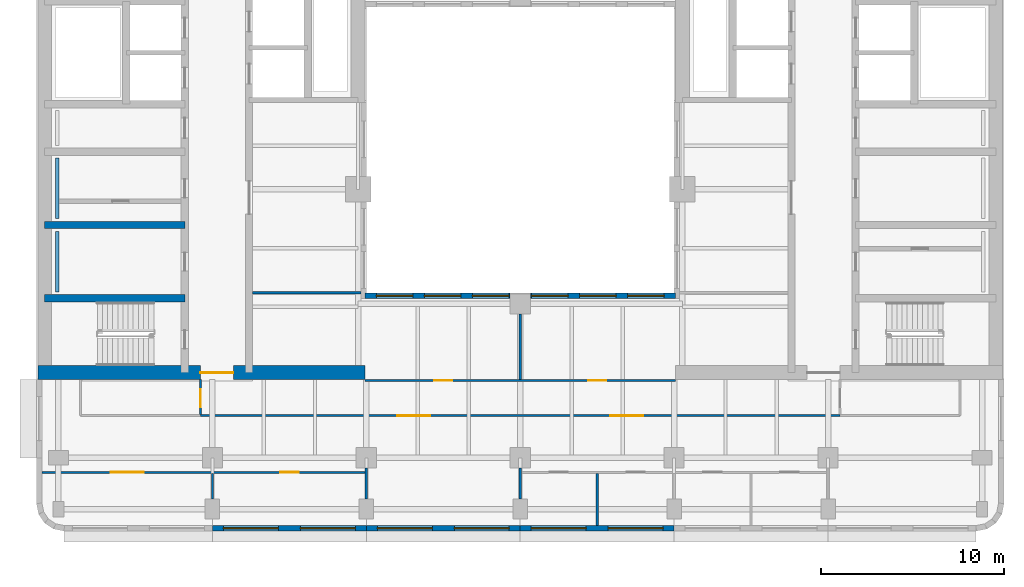
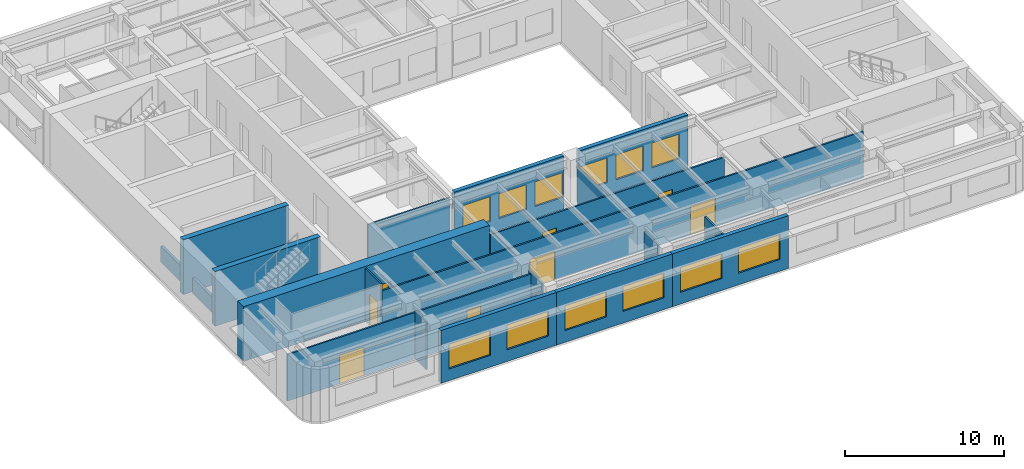
# One storey, part 3 of 11: 20 walls, 12 windows, 8 doors, 20 openings.
"""IFC4 building model written with IfcOpenShell, lengths in metres."""

from ifc_helpers import new_model, si_unit, direction, frame, frame_2d, origin, place, context, subcontext, project, spatial, rectangle, extrude, material, layer, layer_set, type_object, element, fill, save


model = new_model("IFC4")

# Units and contexts
model_context = context("Model", 3, precision=1e-05, world=origin(), true_north=direction((0.0, 1.0)))
body_context = subcontext(model_context, "Body", "Model", "MODEL_VIEW")
ifc_project = project(units=[si_unit("LENGTHUNIT", "METRE"), si_unit("AREAUNIT", "SQUARE_METRE"), si_unit("VOLUMEUNIT", "CUBIC_METRE"), si_unit("PLANEANGLEUNIT", "RADIAN"), si_unit("MASSUNIT", "GRAM", prefix="KILO")], contexts=[model_context])

# Site, building, storey
site_placement = place(None, origin())
site = spatial("IfcSite", under=ifc_project, at=site_placement, CompositionType="ELEMENT")
building_placement = place(site_placement, origin())
building = spatial("IfcBuilding", under=site, at=building_placement, Name="Claustro Exchange Tower", CompositionType="ELEMENT")
storey_placement = place(building_placement, frame((0.0, 0.0, 232.199951171875)))
storey = spatial("IfcBuildingStorey", under=building, at=storey_placement, Name="L53", CompositionType="ELEMENT", Elevation=232.199951171875)

# Wall
ifc_material_1 = material(Name="Laminated glass in aluminium frame", Category="aluminium")
ifc_layer_1 = layer(ifc_material_1, 0.1201171875)
ifc_layer_set_1 = layer_set([ifc_layer_1], Name="Laminated glass in aluminium frame")
wall_type_1 = type_object("IfcWallType", Name="P2 120 glazed partition", PredefinedType="PARTITIONING", material=ifc_layer_set_1)
wall_1_placement = place(storey_placement, frame((10.597900390625, 17.39990234375, 0.0), z_axis=(0.0, 0.0, 1.0), x_axis=(1.0, 0.0, 0.0)))
element("IfcWall", 1, at=wall_1_placement, inside=storey, type_object=wall_type_1, Name="Partition P2 L53", PredefinedType="PARTITIONING", context=body_context, shape_type="SweptSolid", body=[
    extrude(rectangle(XDim=5.904052734375, YDim=0.1201171875, at=frame_2d((2.9521484375, 0.0))), origin(), (0.0, 0.0, 1.0), 3.550048828125),
])

# Wall, openings, doors
wall_2_placement = place(storey_placement, frame((-0.902099609375, 7.60009765625, 0.0), z_axis=(0.0, 0.0, 1.0), x_axis=(1.0, 0.0, 0.0)))
wall_2 = element("IfcWall", 2, at=wall_2_placement, inside=storey, type_object=wall_type_1, Name="Partition P2 L53", PredefinedType="PARTITIONING", context=body_context, shape_type="SweptSolid", body=[
    extrude(rectangle(XDim=17.7021484375, YDim=0.1201171875, at=frame_2d((8.85107421875, 0.0))), origin(), (0.0, 0.0, 1.0), 3.56005859375),
])
opening_1_placement = place(wall_2_placement, frame((3.751953125, 0.0, 0.0)))
opening_1 = element("IfcOpeningElement", 3, at=opening_1_placement, cuts=wall_2, Name="Opening D2", PredefinedType="OPENING", context=body_context, shape_type="SweptSolid", body=[
    extrude(rectangle(XDim=1.800048828125, YDim=2.199951171875, at=frame_2d((0.89990234375, 1.10009765625))), frame((0.0, 0.070068359375, 0.0), z_axis=(0.0, -1.0, 0.0), x_axis=(1.0, 0.0, 0.0)), (0.0, 0.0, 1.0), 0.14013671875),
])
opening_2_placement = place(wall_2_placement, frame((13.001953125, 0.0, 0.0)))
opening_2 = element("IfcOpeningElement", 4, at=opening_2_placement, cuts=wall_2, Name="Opening D7", PredefinedType="OPENING", context=body_context, shape_type="SweptSolid", body=[
    extrude(rectangle(XDim=1.0, YDim=2.39990234375, at=frame_2d((0.5, 1.199951171875))), frame((0.0, 0.070068359375, 0.0), z_axis=(0.0, -1.0, 0.0), x_axis=(1.0, 0.0, 0.0)), (0.0, 0.0, 1.0), 0.14013671875),
])
ifc_material_2 = material(Name="Timber door, oak veneer", Category="wood")
door_type_1 = type_object("IfcDoorType", Name="D2 1800 x 2200 double door", OperationType="DOUBLE_DOOR_SINGLE_SWING", PredefinedType="DOOR", material=ifc_material_2)
door_1_placement = place(opening_1_placement, frame((1.800048828125, 0.0, 0.0), z_axis=(0.0, 0.0, 1.0), x_axis=(-1.0, 0.0, 0.0)))
door_1 = element("IfcDoor", 5, at=door_1_placement, inside=storey, type_object=door_type_1, Name="Double door D2 L53", OperationType="DOUBLE_DOOR_SINGLE_SWING", OverallHeight=2.199951171875, OverallWidth=1.800048828125, PredefinedType="DOOR", context=body_context, shape_type="SweptSolid", body=[
    extrude(rectangle(XDim=1.800048828125, YDim=2.199951171875, at=frame_2d((0.89990234375, 1.10009765625))), frame((0.0, 0.02490234375, 0.0), z_axis=(0.0, -1.0, 0.0), x_axis=(1.0, 0.0, 0.0)), (0.0, 0.0, 1.0), 0.050048828125),
])
fill(opening_1, door_1)
ifc_material_3 = material(Name="Glass door in aluminium frame", Category="aluminium")
door_type_2 = type_object("IfcDoorType", Name="D7 1000 x 2400 glazed door", OperationType="SINGLE_SWING_LEFT", PredefinedType="DOOR", material=ifc_material_3)
door_2_placement = place(opening_2_placement, frame((1.0, 0.0, 0.0), z_axis=(0.0, 0.0, 1.0), x_axis=(-1.0, 0.0, 0.0)))
door_2 = element("IfcDoor", 6, at=door_2_placement, inside=storey, type_object=door_type_2, Name="Door D7 L53", OperationType="SINGLE_SWING_RIGHT", OverallHeight=2.39990234375, OverallWidth=1.0, PredefinedType="DOOR", context=body_context, shape_type="SweptSolid", body=[
    extrude(rectangle(XDim=1.0, YDim=2.39990234375, at=frame_2d((0.5, 1.199951171875))), frame((0.0, 0.02490234375, 0.0), z_axis=(0.0, -1.0, 0.0), x_axis=(1.0, 0.0, 0.0)), (0.0, 0.0, 1.0), 0.050048828125),
])
fill(opening_2, door_2)

# Walls
wall_3_placement = place(storey_placement, frame((8.39990234375, 6.14892578125, 0.0), z_axis=(0.0, 0.0, 1.0), x_axis=(0.0, 1.0, 0.0)))
element("IfcWall", 7, at=wall_3_placement, inside=storey, type_object=wall_type_1, Name="Partition P2 L53", PredefinedType="PARTITIONING", context=body_context, shape_type="SweptSolid", body=[
    extrude(rectangle(XDim=1.39306640625, YDim=0.1201171875, at=frame_2d((0.696533203125, 0.0))), origin(), (0.0, 0.0, 1.0), 3.68994140625),
])
for number, where, z_axis, x_axis, name in (
    (8, (16.800048828125, 6.14892578125, 0.0), (0.0, 0.0, 1.0), (0.0, 1.0, 0.0), "Partition P2 L53"),
    (9, (25.199951171875, 6.14892578125, 0.0), (0.0, 0.0, 1.0), (0.0, 1.0, 0.0), "Partition P2 L53"),
):
    element("IfcWall", number, at=place(storey_placement, frame(where, z_axis=z_axis, x_axis=x_axis)), inside=storey, type_object=wall_type_1, Name=name, PredefinedType="PARTITIONING", context=body_context, shape_type="SweptSolid", body=[
        extrude(rectangle(XDim=1.703125, YDim=0.1201171875, at=frame_2d((0.8515625, 0.0))), origin(), (0.0, 0.0, 1.0), 3.68994140625),
    ])
wall_4_placement = place(storey_placement, frame((29.39990234375, 4.699951171875, 0.0), z_axis=(0.0, 0.0, 1.0), x_axis=(0.0, 1.0, 0.0)))
element("IfcWall", 10, at=wall_4_placement, inside=storey, type_object=wall_type_1, Name="Partition P2 L53", PredefinedType="PARTITIONING", context=body_context, shape_type="SweptSolid", body=[
    extrude(rectangle(XDim=2.842041015625, YDim=0.1201171875, at=frame_2d((1.4208984375, 0.0))), origin(), (0.0, 0.0, 1.0), 3.56005859375),
])

# Wall, openings, doors
wall_5_placement = place(storey_placement, frame((7.748046875, 10.699951171875, 0.0), z_axis=(0.0, 0.0, 1.0), x_axis=(1.0, 0.0, 0.0)))
wall_5 = element("IfcWall", 11, at=wall_5_placement, inside=storey, type_object=wall_type_1, Name="Partition P2 L53", PredefinedType="PARTITIONING", context=body_context, shape_type="SweptSolid", body=[
    extrude(rectangle(XDim=34.904052734375, YDim=0.1201171875, at=frame_2d((17.4521484375, 0.0))), origin(), (0.0, 0.0, 1.0), 3.550048828125),
])
opening_3_placement = place(wall_5_placement, frame((10.7353515625, 0.0, 0.0)))
opening_3 = element("IfcOpeningElement", 12, at=opening_3_placement, cuts=wall_5, Name="Opening D2", PredefinedType="OPENING", context=body_context, shape_type="SweptSolid", body=[
    extrude(rectangle(XDim=1.800048828125, YDim=2.199951171875, at=frame_2d((0.89990234375, 1.10009765625))), frame((0.0, 0.070068359375, 0.0), z_axis=(0.0, -1.0, 0.0), x_axis=(1.0, 0.0, 0.0)), (0.0, 0.0, 1.0), 0.14013671875),
])
opening_4_placement = place(wall_5_placement, frame((22.36865234375, 0.0, 0.0)))
opening_4 = element("IfcOpeningElement", 13, at=opening_4_placement, cuts=wall_5, Name="Opening D2", PredefinedType="OPENING", context=body_context, shape_type="SweptSolid", body=[
    extrude(rectangle(XDim=1.800048828125, YDim=2.199951171875, at=frame_2d((0.89990234375, 1.10009765625))), frame((0.0, 0.070068359375, 0.0), z_axis=(0.0, -1.0, 0.0), x_axis=(1.0, 0.0, 0.0)), (0.0, 0.0, 1.0), 0.14013671875),
])
door_3_placement = place(opening_3_placement, frame((1.800048828125, 0.0, 0.0), z_axis=(0.0, 0.0, 1.0), x_axis=(-1.0, 0.0, 0.0)))
door_3 = element("IfcDoor", 14, at=door_3_placement, inside=storey, type_object=door_type_1, Name="Double door D2 L53", OperationType="DOUBLE_DOOR_SINGLE_SWING", OverallHeight=2.199951171875, OverallWidth=1.800048828125, PredefinedType="DOOR", context=body_context, shape_type="SweptSolid", body=[
    extrude(rectangle(XDim=1.800048828125, YDim=2.199951171875, at=frame_2d((0.89990234375, 1.10009765625))), frame((0.0, 0.02490234375, 0.0), z_axis=(0.0, -1.0, 0.0), x_axis=(1.0, 0.0, 0.0)), (0.0, 0.0, 1.0), 0.050048828125),
])
fill(opening_3, door_3)
door_4_placement = place(opening_4_placement, frame((1.800048828125, 0.0, 0.0), z_axis=(0.0, 0.0, 1.0), x_axis=(-1.0, 0.0, 0.0)))
door_4 = element("IfcDoor", 15, at=door_4_placement, inside=storey, type_object=door_type_1, Name="Double door D2 L53", OperationType="DOUBLE_DOOR_SINGLE_SWING", OverallHeight=2.199951171875, OverallWidth=1.800048828125, PredefinedType="DOOR", context=body_context, shape_type="SweptSolid", body=[
    extrude(rectangle(XDim=1.800048828125, YDim=2.199951171875, at=frame_2d((0.89990234375, 1.10009765625))), frame((0.0, 0.02490234375, 0.0), z_axis=(0.0, -1.0, 0.0), x_axis=(1.0, 0.0, 0.0)), (0.0, 0.0, 1.0), 0.050048828125),
])
fill(opening_4, door_4)

# Wall, opening, door
wall_6_placement = place(storey_placement, frame((7.75, 10.758056640625, 0.0), z_axis=(0.0, 0.0, 1.0), x_axis=(0.0, 1.0, 0.0)))
wall_6 = element("IfcWall", 16, at=wall_6_placement, inside=storey, type_object=wall_type_1, Name="Partition P2 L53", PredefinedType="PARTITIONING", context=body_context, shape_type="SweptSolid", body=[
    extrude(rectangle(XDim=1.91796875, YDim=0.1201171875, at=frame_2d((0.958984375, 0.0))), origin(), (0.0, 0.0, 1.0), 4.050048828125),
])
opening_5_placement = place(wall_6_placement, frame((0.39208984375, 0.0, 0.0)))
opening_5 = element("IfcOpeningElement", 17, at=opening_5_placement, cuts=wall_6, Name="Opening D7", PredefinedType="OPENING", context=body_context, shape_type="SweptSolid", body=[
    extrude(rectangle(XDim=1.0, YDim=2.39990234375, at=frame_2d((0.5, 1.199951171875))), frame((0.0, 0.070068359375, 0.0), z_axis=(0.0, -1.0, 0.0), x_axis=(1.0, 0.0, 0.0)), (0.0, 0.0, 1.0), 0.14013671875),
])
door_5_placement = place(opening_5_placement, origin())
door_5 = element("IfcDoor", 18, at=door_5_placement, inside=storey, type_object=door_type_2, Name="Door D7 L53", OperationType="SINGLE_SWING_LEFT", OverallHeight=2.39990234375, OverallWidth=1.0, PredefinedType="DOOR", context=body_context, shape_type="SweptSolid", body=[
    extrude(rectangle(XDim=1.0, YDim=2.39990234375, at=frame_2d((0.5, 1.199951171875))), frame((0.0, 0.02490234375, 0.0), z_axis=(0.0, -1.0, 0.0), x_axis=(1.0, 0.0, 0.0)), (0.0, 0.0, 1.0), 0.050048828125),
])
fill(opening_5, door_5)

# Wall
wall_7_placement = place(storey_placement, frame((25.199951171875, 12.657958984375, 0.0), z_axis=(0.0, 0.0, 1.0), x_axis=(0.0, 1.0, 0.0)))
element("IfcWall", 19, at=wall_7_placement, inside=storey, type_object=wall_type_1, Name="Partition P2 L53", PredefinedType="PARTITIONING", context=body_context, shape_type="SweptSolid", body=[
    extrude(rectangle(XDim=3.593017578125, YDim=0.1201171875, at=frame_2d((1.79638671875, 0.0))), origin(), (0.0, 0.0, 1.0), 3.550048828125),
])

# Wall, openings, doors
wall_8_placement = place(storey_placement, frame((16.72509765625, 12.614990234375, 0.0), z_axis=(0.0, 0.0, 1.0), x_axis=(1.0, 0.0, 0.0)))
wall_8 = element("IfcWall", 20, at=wall_8_placement, inside=storey, type_object=wall_type_1, Name="Partition P2 L53", PredefinedType="PARTITIONING", context=body_context, shape_type="SweptSolid", body=[
    extrude(rectangle(XDim=16.949951171875, YDim=0.1201171875, at=frame_2d((8.47509765625, 0.0))), origin(), (0.0, 0.0, 1.0), 3.550048828125),
])
opening_6_placement = place(wall_8_placement, frame((3.77490234375, 0.0, 0.0)))
opening_6 = element("IfcOpeningElement", 21, at=opening_6_placement, cuts=wall_8, Name="Opening D7", PredefinedType="OPENING", context=body_context, shape_type="SweptSolid", body=[
    extrude(rectangle(XDim=1.0, YDim=2.39990234375, at=frame_2d((0.5, 1.199951171875))), frame((0.0, 0.070068359375, 0.0), z_axis=(0.0, -1.0, 0.0), x_axis=(1.0, 0.0, 0.0)), (0.0, 0.0, 1.0), 0.14013671875),
])
opening_7_placement = place(wall_8_placement, frame((12.175048828125, 0.0, 0.0)))
opening_7 = element("IfcOpeningElement", 22, at=opening_7_placement, cuts=wall_8, Name="Opening D7", PredefinedType="OPENING", context=body_context, shape_type="SweptSolid", body=[
    extrude(rectangle(XDim=1.0, YDim=2.39990234375, at=frame_2d((0.5, 1.199951171875))), frame((0.0, 0.070068359375, 0.0), z_axis=(0.0, -1.0, 0.0), x_axis=(1.0, 0.0, 0.0)), (0.0, 0.0, 1.0), 0.14013671875),
])
door_6_placement = place(opening_6_placement, origin())
door_6 = element("IfcDoor", 23, at=door_6_placement, inside=storey, type_object=door_type_2, Name="Door D7 L53", OperationType="SINGLE_SWING_RIGHT", OverallHeight=2.39990234375, OverallWidth=1.0, PredefinedType="DOOR", context=body_context, shape_type="SweptSolid", body=[
    extrude(rectangle(XDim=1.0, YDim=2.39990234375, at=frame_2d((0.5, 1.199951171875))), frame((0.0, 0.02490234375, 0.0), z_axis=(0.0, -1.0, 0.0), x_axis=(1.0, 0.0, 0.0)), (0.0, 0.0, 1.0), 0.050048828125),
])
fill(opening_6, door_6)
door_7_placement = place(opening_7_placement, origin())
door_7 = element("IfcDoor", 24, at=door_7_placement, inside=storey, type_object=door_type_2, Name="Door D7 L53", OperationType="SINGLE_SWING_RIGHT", OverallHeight=2.39990234375, OverallWidth=1.0, PredefinedType="DOOR", context=body_context, shape_type="SweptSolid", body=[
    extrude(rectangle(XDim=1.0, YDim=2.39990234375, at=frame_2d((0.5, 1.199951171875))), frame((0.0, 0.02490234375, 0.0), z_axis=(0.0, -1.0, 0.0), x_axis=(1.0, 0.0, 0.0)), (0.0, 0.0, 1.0), 0.050048828125),
])
fill(opening_7, door_7)

# Wall, openings, windows
ifc_material_4 = material(Name="Concrete HA-40 (C40/50), precast, white cement, acid-etched", Category="concrete")
ifc_layer_2 = layer(ifc_material_4, 0.300048828125)
ifc_layer_set_2 = layer_set([ifc_layer_2], Name="Concrete HA-40 (C40/50), precast, white cement, acid-etched")
wall_type_2 = type_object("IfcWallType", Name="PC1 300 precast concrete pier panel", PredefinedType="SOLIDWALL", material=ifc_layer_set_2)
wall_9_placement = place(storey_placement, frame((33.60009765625, 4.550048828125, 0.0), z_axis=(0.0, 0.0, 1.0), x_axis=(-1.0, 0.0, 0.0)))
wall_9 = element("IfcWall", 25, at=wall_9_placement, inside=storey, type_object=wall_type_2, Name="Precast pier panel PC1 L53", PredefinedType="SOLIDWALL", context=body_context, shape_type="SweptSolid", body=[
    extrude(rectangle(XDim=8.400146484375, YDim=0.300048828125, at=frame_2d((4.2001953125, 0.0))), origin(), (0.0, 0.0, 1.0), 4.050048828125),
])
opening_8_placement = place(wall_9_placement, frame((0.60009765625, 0.0, 0.89990234375)))
opening_8 = element("IfcOpeningElement", 26, at=opening_8_placement, cuts=wall_9, Name="Opening W1", PredefinedType="OPENING", context=body_context, shape_type="SweptSolid", body=[
    extrude(rectangle(XDim=3.0, YDim=1.89990234375, at=frame_2d((1.5, 0.949951171875))), frame((0.0, 0.159912109375, 0.0), z_axis=(0.0, -1.0, 0.0), x_axis=(1.0, 0.0, 0.0)), (0.0, 0.0, 1.0), 0.320068359375),
])
opening_9_placement = place(wall_9_placement, frame((4.800048828125, 0.0, 0.89990234375)))
opening_9 = element("IfcOpeningElement", 27, at=opening_9_placement, cuts=wall_9, Name="Opening W1", PredefinedType="OPENING", context=body_context, shape_type="SweptSolid", body=[
    extrude(rectangle(XDim=3.0, YDim=1.89990234375, at=frame_2d((1.5, 0.949951171875))), frame((0.0, 0.159912109375, 0.0), z_axis=(0.0, -1.0, 0.0), x_axis=(1.0, 0.0, 0.0)), (0.0, 0.0, 1.0), 0.320068359375),
])
ifc_material_5 = material(Name="Aluminium frame, clear double glazing", Category="aluminium")
window_type_1 = type_object("IfcWindowType", Name="W1 3000 x 1900 window", PartitioningType="SINGLE_PANEL", PredefinedType="WINDOW", material=ifc_material_5)
window_1_placement = place(opening_8_placement, origin())
window_1 = element("IfcWindow", 28, at=window_1_placement, inside=storey, type_object=window_type_1, Name="Window W1 L53", OverallHeight=1.89990234375, OverallWidth=3.0, PartitioningType="SINGLE_PANEL", PredefinedType="WINDOW", context=body_context, shape_type="SweptSolid", body=[
    extrude(rectangle(XDim=3.0, YDim=1.89990234375, at=frame_2d((1.5, 0.949951171875))), frame((0.0, 0.030029296875, 0.0), z_axis=(0.0, -1.0, 0.0), x_axis=(1.0, 0.0, 0.0)), (0.0, 0.0, 1.0), 0.06005859375),
])
fill(opening_8, window_1)
window_2_placement = place(opening_9_placement, origin())
window_2 = element("IfcWindow", 29, at=window_2_placement, inside=storey, type_object=window_type_1, Name="Window W1 L53", OverallHeight=1.89990234375, OverallWidth=3.0, PartitioningType="SINGLE_PANEL", PredefinedType="WINDOW", context=body_context, shape_type="SweptSolid", body=[
    extrude(rectangle(XDim=3.0, YDim=1.89990234375, at=frame_2d((1.5, 0.949951171875))), frame((0.0, 0.030029296875, 0.0), z_axis=(0.0, -1.0, 0.0), x_axis=(1.0, 0.0, 0.0)), (0.0, 0.0, 1.0), 0.06005859375),
])
fill(opening_9, window_2)

wall_10_placement = place(storey_placement, frame((25.199951171875, 4.550048828125, 0.0), z_axis=(0.0, 0.0, 1.0), x_axis=(-1.0, 0.0, 0.0)))
wall_10 = element("IfcWall", 30, at=wall_10_placement, inside=storey, type_object=wall_type_2, Name="Precast pier panel PC1 L53", PredefinedType="SOLIDWALL", context=body_context, shape_type="SweptSolid", body=[
    extrude(rectangle(XDim=8.39990234375, YDim=0.300048828125, at=frame_2d((4.199951171875, 0.0))), origin(), (0.0, 0.0, 1.0), 4.050048828125),
])
opening_10_placement = place(wall_10_placement, frame((0.60009765625, 0.0, 0.89990234375)))
opening_10 = element("IfcOpeningElement", 31, at=opening_10_placement, cuts=wall_10, Name="Opening W1", PredefinedType="OPENING", context=body_context, shape_type="SweptSolid", body=[
    extrude(rectangle(XDim=3.0, YDim=1.89990234375, at=frame_2d((1.5, 0.949951171875))), frame((0.0, 0.159912109375, 0.0), z_axis=(0.0, -1.0, 0.0), x_axis=(1.0, 0.0, 0.0)), (0.0, 0.0, 1.0), 0.320068359375),
])
opening_11_placement = place(wall_10_placement, frame((4.800048828125, 0.0, 0.89990234375)))
opening_11 = element("IfcOpeningElement", 32, at=opening_11_placement, cuts=wall_10, Name="Opening W1", PredefinedType="OPENING", context=body_context, shape_type="SweptSolid", body=[
    extrude(rectangle(XDim=3.0, YDim=1.89990234375, at=frame_2d((1.5, 0.949951171875))), frame((0.0, 0.159912109375, 0.0), z_axis=(0.0, -1.0, 0.0), x_axis=(1.0, 0.0, 0.0)), (0.0, 0.0, 1.0), 0.320068359375),
])
window_3_placement = place(opening_10_placement, origin())
window_3 = element("IfcWindow", 33, at=window_3_placement, inside=storey, type_object=window_type_1, Name="Window W1 L53", OverallHeight=1.89990234375, OverallWidth=3.0, PartitioningType="SINGLE_PANEL", PredefinedType="WINDOW", context=body_context, shape_type="SweptSolid", body=[
    extrude(rectangle(XDim=3.0, YDim=1.89990234375, at=frame_2d((1.5, 0.949951171875))), frame((0.0, 0.030029296875, 0.0), z_axis=(0.0, -1.0, 0.0), x_axis=(1.0, 0.0, 0.0)), (0.0, 0.0, 1.0), 0.06005859375),
])
fill(opening_10, window_3)
window_4_placement = place(opening_11_placement, origin())
window_4 = element("IfcWindow", 34, at=window_4_placement, inside=storey, type_object=window_type_1, Name="Window W1 L53", OverallHeight=1.89990234375, OverallWidth=3.0, PartitioningType="SINGLE_PANEL", PredefinedType="WINDOW", context=body_context, shape_type="SweptSolid", body=[
    extrude(rectangle(XDim=3.0, YDim=1.89990234375, at=frame_2d((1.5, 0.949951171875))), frame((0.0, 0.030029296875, 0.0), z_axis=(0.0, -1.0, 0.0), x_axis=(1.0, 0.0, 0.0)), (0.0, 0.0, 1.0), 0.06005859375),
])
fill(opening_11, window_4)

wall_11_placement = place(storey_placement, frame((16.800048828125, 4.550048828125, 0.0), z_axis=(0.0, 0.0, 1.0), x_axis=(-1.0, 0.0, 0.0)))
wall_11 = element("IfcWall", 35, at=wall_11_placement, inside=storey, type_object=wall_type_2, Name="Precast pier panel PC1 L53", PredefinedType="SOLIDWALL", context=body_context, shape_type="SweptSolid", body=[
    extrude(rectangle(XDim=8.400146484375, YDim=0.300048828125, at=frame_2d((4.2001953125, 0.0))), origin(), (0.0, 0.0, 1.0), 4.050048828125),
])
opening_12_placement = place(wall_11_placement, frame((0.60009765625, 0.0, 0.89990234375)))
opening_12 = element("IfcOpeningElement", 36, at=opening_12_placement, cuts=wall_11, Name="Opening W1", PredefinedType="OPENING", context=body_context, shape_type="SweptSolid", body=[
    extrude(rectangle(XDim=3.0, YDim=1.89990234375, at=frame_2d((1.5, 0.949951171875))), frame((0.0, 0.159912109375, 0.0), z_axis=(0.0, -1.0, 0.0), x_axis=(1.0, 0.0, 0.0)), (0.0, 0.0, 1.0), 0.320068359375),
])
opening_13_placement = place(wall_11_placement, frame((4.800048828125, 0.0, 0.89990234375)))
opening_13 = element("IfcOpeningElement", 37, at=opening_13_placement, cuts=wall_11, Name="Opening W1", PredefinedType="OPENING", context=body_context, shape_type="SweptSolid", body=[
    extrude(rectangle(XDim=3.0, YDim=1.89990234375, at=frame_2d((1.5, 0.949951171875))), frame((0.0, 0.159912109375, 0.0), z_axis=(0.0, -1.0, 0.0), x_axis=(1.0, 0.0, 0.0)), (0.0, 0.0, 1.0), 0.320068359375),
])
window_5_placement = place(opening_12_placement, origin())
window_5 = element("IfcWindow", 38, at=window_5_placement, inside=storey, type_object=window_type_1, Name="Window W1 L53", OverallHeight=1.89990234375, OverallWidth=3.0, PartitioningType="SINGLE_PANEL", PredefinedType="WINDOW", context=body_context, shape_type="SweptSolid", body=[
    extrude(rectangle(XDim=3.0, YDim=1.89990234375, at=frame_2d((1.5, 0.949951171875))), frame((0.0, 0.030029296875, 0.0), z_axis=(0.0, -1.0, 0.0), x_axis=(1.0, 0.0, 0.0)), (0.0, 0.0, 1.0), 0.06005859375),
])
fill(opening_12, window_5)
window_6_placement = place(opening_13_placement, origin())
window_6 = element("IfcWindow", 39, at=window_6_placement, inside=storey, type_object=window_type_1, Name="Window W1 L53", OverallHeight=1.89990234375, OverallWidth=3.0, PartitioningType="SINGLE_PANEL", PredefinedType="WINDOW", context=body_context, shape_type="SweptSolid", body=[
    extrude(rectangle(XDim=3.0, YDim=1.89990234375, at=frame_2d((1.5, 0.949951171875))), frame((0.0, 0.030029296875, 0.0), z_axis=(0.0, -1.0, 0.0), x_axis=(1.0, 0.0, 0.0)), (0.0, 0.0, 1.0), 0.06005859375),
])
fill(opening_13, window_6)

wall_12_placement = place(storey_placement, frame((16.72509765625, 17.25, 0.0), z_axis=(0.0, 0.0, 1.0), x_axis=(1.0, 0.0, 0.0)))
wall_12 = element("IfcWall", 40, at=wall_12_placement, inside=storey, type_object=wall_type_2, Name="Precast pier panel PC1 L53", PredefinedType="SOLIDWALL", context=body_context, shape_type="SweptSolid", body=[
    extrude(rectangle(XDim=7.9248046875, YDim=0.300048828125, at=frame_2d((3.96240234375, 0.0))), origin(), (0.0, 0.0, 1.0), 4.050048828125),
])
opening_14_placement = place(wall_12_placement, frame((0.61865234375, 0.0, 0.89990234375)))
opening_14 = element("IfcOpeningElement", 41, at=opening_14_placement, cuts=wall_12, Name="Opening W4", PredefinedType="OPENING", context=body_context, shape_type="SweptSolid", body=[
    extrude(rectangle(XDim=2.0, YDim=1.89990234375, at=frame_2d((1.0, 0.949951171875))), frame((0.0, 0.159912109375, 0.0), z_axis=(0.0, -1.0, 0.0), x_axis=(1.0, 0.0, 0.0)), (0.0, 0.0, 1.0), 0.320068359375),
])
opening_15_placement = place(wall_12_placement, frame((3.237548828125, 0.0, 0.89990234375)))
opening_15 = element("IfcOpeningElement", 42, at=opening_15_placement, cuts=wall_12, Name="Opening W4", PredefinedType="OPENING", context=body_context, shape_type="SweptSolid", body=[
    extrude(rectangle(XDim=2.0, YDim=1.89990234375, at=frame_2d((1.0, 0.949951171875))), frame((0.0, 0.159912109375, 0.0), z_axis=(0.0, -1.0, 0.0), x_axis=(1.0, 0.0, 0.0)), (0.0, 0.0, 1.0), 0.320068359375),
])
opening_16_placement = place(wall_12_placement, frame((5.856201171875, 0.0, 0.89990234375)))
opening_16 = element("IfcOpeningElement", 43, at=opening_16_placement, cuts=wall_12, Name="Opening W4", PredefinedType="OPENING", context=body_context, shape_type="SweptSolid", body=[
    extrude(rectangle(XDim=2.0, YDim=1.89990234375, at=frame_2d((1.0, 0.949951171875))), frame((0.0, 0.159912109375, 0.0), z_axis=(0.0, -1.0, 0.0), x_axis=(1.0, 0.0, 0.0)), (0.0, 0.0, 1.0), 0.320068359375),
])
ifc_material_6 = material(Name="Aluminium frame, clear double glazing", Category="aluminium")
window_type_2 = type_object("IfcWindowType", Name="W4 2000 x 1900 light well window", PartitioningType="SINGLE_PANEL", PredefinedType="WINDOW", material=ifc_material_6)
window_7_placement = place(opening_14_placement, origin())
window_7 = element("IfcWindow", 44, at=window_7_placement, inside=storey, type_object=window_type_2, Name="Window W4 L53", OverallHeight=1.89990234375, OverallWidth=2.0, PartitioningType="SINGLE_PANEL", PredefinedType="WINDOW", context=body_context, shape_type="SweptSolid", body=[
    extrude(rectangle(XDim=2.0, YDim=1.89990234375, at=frame_2d((1.0, 0.949951171875))), frame((0.0, 0.030029296875, 0.0), z_axis=(0.0, -1.0, 0.0), x_axis=(1.0, 0.0, 0.0)), (0.0, 0.0, 1.0), 0.06005859375),
])
fill(opening_14, window_7)
window_8_placement = place(opening_15_placement, origin())
window_8 = element("IfcWindow", 45, at=window_8_placement, inside=storey, type_object=window_type_2, Name="Window W4 L53", OverallHeight=1.89990234375, OverallWidth=2.0, PartitioningType="SINGLE_PANEL", PredefinedType="WINDOW", context=body_context, shape_type="SweptSolid", body=[
    extrude(rectangle(XDim=2.0, YDim=1.89990234375, at=frame_2d((1.0, 0.949951171875))), frame((0.0, 0.030029296875, 0.0), z_axis=(0.0, -1.0, 0.0), x_axis=(1.0, 0.0, 0.0)), (0.0, 0.0, 1.0), 0.06005859375),
])
fill(opening_15, window_8)
window_9_placement = place(opening_16_placement, origin())
window_9 = element("IfcWindow", 46, at=window_9_placement, inside=storey, type_object=window_type_2, Name="Window W4 L53", OverallHeight=1.89990234375, OverallWidth=2.0, PartitioningType="SINGLE_PANEL", PredefinedType="WINDOW", context=body_context, shape_type="SweptSolid", body=[
    extrude(rectangle(XDim=2.0, YDim=1.89990234375, at=frame_2d((1.0, 0.949951171875))), frame((0.0, 0.030029296875, 0.0), z_axis=(0.0, -1.0, 0.0), x_axis=(1.0, 0.0, 0.0)), (0.0, 0.0, 1.0), 0.06005859375),
])
fill(opening_16, window_9)

wall_13_placement = place(storey_placement, frame((25.75, 17.25, 0.0), z_axis=(0.0, 0.0, 1.0), x_axis=(1.0, 0.0, 0.0)))
wall_13 = element("IfcWall", 47, at=wall_13_placement, inside=storey, type_object=wall_type_2, Name="Precast pier panel PC1 L53", PredefinedType="SOLIDWALL", context=body_context, shape_type="SweptSolid", body=[
    extrude(rectangle(XDim=7.925048828125, YDim=0.300048828125, at=frame_2d((3.96240234375, 0.0))), origin(), (0.0, 0.0, 1.0), 4.050048828125),
])
opening_17_placement = place(wall_13_placement, frame((0.068603515625, 0.0, 0.89990234375)))
opening_17 = element("IfcOpeningElement", 48, at=opening_17_placement, cuts=wall_13, Name="Opening W4", PredefinedType="OPENING", context=body_context, shape_type="SweptSolid", body=[
    extrude(rectangle(XDim=2.0, YDim=1.89990234375, at=frame_2d((1.0, 0.949951171875))), frame((0.0, 0.159912109375, 0.0), z_axis=(0.0, -1.0, 0.0), x_axis=(1.0, 0.0, 0.0)), (0.0, 0.0, 1.0), 0.320068359375),
])
opening_18_placement = place(wall_13_placement, frame((2.6875, 0.0, 0.89990234375)))
opening_18 = element("IfcOpeningElement", 49, at=opening_18_placement, cuts=wall_13, Name="Opening W4", PredefinedType="OPENING", context=body_context, shape_type="SweptSolid", body=[
    extrude(rectangle(XDim=2.0, YDim=1.89990234375, at=frame_2d((1.0, 0.949951171875))), frame((0.0, 0.159912109375, 0.0), z_axis=(0.0, -1.0, 0.0), x_axis=(1.0, 0.0, 0.0)), (0.0, 0.0, 1.0), 0.320068359375),
])
opening_19_placement = place(wall_13_placement, frame((5.30615234375, 0.0, 0.89990234375)))
opening_19 = element("IfcOpeningElement", 50, at=opening_19_placement, cuts=wall_13, Name="Opening W4", PredefinedType="OPENING", context=body_context, shape_type="SweptSolid", body=[
    extrude(rectangle(XDim=2.0, YDim=1.89990234375, at=frame_2d((1.0, 0.949951171875))), frame((0.0, 0.159912109375, 0.0), z_axis=(0.0, -1.0, 0.0), x_axis=(1.0, 0.0, 0.0)), (0.0, 0.0, 1.0), 0.320068359375),
])
window_10_placement = place(opening_17_placement, origin())
window_10 = element("IfcWindow", 51, at=window_10_placement, inside=storey, type_object=window_type_2, Name="Window W4 L53", OverallHeight=1.89990234375, OverallWidth=2.0, PartitioningType="SINGLE_PANEL", PredefinedType="WINDOW", context=body_context, shape_type="SweptSolid", body=[
    extrude(rectangle(XDim=2.0, YDim=1.89990234375, at=frame_2d((1.0, 0.949951171875))), frame((0.0, 0.030029296875, 0.0), z_axis=(0.0, -1.0, 0.0), x_axis=(1.0, 0.0, 0.0)), (0.0, 0.0, 1.0), 0.06005859375),
])
fill(opening_17, window_10)
window_11_placement = place(opening_18_placement, origin())
window_11 = element("IfcWindow", 52, at=window_11_placement, inside=storey, type_object=window_type_2, Name="Window W4 L53", OverallHeight=1.89990234375, OverallWidth=2.0, PartitioningType="SINGLE_PANEL", PredefinedType="WINDOW", context=body_context, shape_type="SweptSolid", body=[
    extrude(rectangle(XDim=2.0, YDim=1.89990234375, at=frame_2d((1.0, 0.949951171875))), frame((0.0, 0.030029296875, 0.0), z_axis=(0.0, -1.0, 0.0), x_axis=(1.0, 0.0, 0.0)), (0.0, 0.0, 1.0), 0.06005859375),
])
fill(opening_18, window_11)
window_12_placement = place(opening_19_placement, origin())
window_12 = element("IfcWindow", 53, at=window_12_placement, inside=storey, type_object=window_type_2, Name="Window W4 L53", OverallHeight=1.89990234375, OverallWidth=2.0, PartitioningType="SINGLE_PANEL", PredefinedType="WINDOW", context=body_context, shape_type="SweptSolid", body=[
    extrude(rectangle(XDim=2.0, YDim=1.89990234375, at=frame_2d((1.0, 0.949951171875))), frame((0.0, 0.030029296875, 0.0), z_axis=(0.0, -1.0, 0.0), x_axis=(1.0, 0.0, 0.0)), (0.0, 0.0, 1.0), 0.06005859375),
])
fill(opening_19, window_12)

# Walls
ifc_material_7 = material(Name="Gypsum board on steel studs, tiled", Category="steel")
ifc_layer_3 = layer(ifc_material_7, 0.199951171875)
ifc_layer_set_3 = layer_set([ifc_layer_3], Name="Gypsum board on steel studs, tiled")
wall_type_3 = type_object("IfcWallType", Name="PW1 200 WC duct wall", PredefinedType="PLUMBINGWALL", material=ifc_layer_set_3)
for number, where, z_axis, x_axis, name in (
    (54, (-0.074951171875, 17.449951171875, 0.0), (0.0, 0.0, 1.0), (0.0, 1.0, 0.0), "WC duct wall PW1 L53"),
    (55, (-0.074951171875, 21.449951171875, 0.0), (0.0, 0.0, 1.0), (0.0, 1.0, 0.0), "WC duct wall PW1 L53"),
):
    element("IfcWall", number, at=place(storey_placement, frame(where, z_axis=z_axis, x_axis=x_axis)), inside=storey, type_object=wall_type_3, Name=name, PredefinedType="PLUMBINGWALL", context=body_context, shape_type="SweptSolid", body=[
        extrude(rectangle(XDim=3.300048828125, YDim=0.199951171875, at=frame_2d((1.64990234375, 0.0))), origin(), (0.0, 0.0, 1.0), 1.199951171875),
    ])

# Wall, opening, door
ifc_material_8 = material(Name="Concrete HA-70 (C70/85)", Category="concrete")
ifc_layer_4 = layer(ifc_material_8, 0.75)
ifc_layer_set_4 = layer_set([ifc_layer_4], Name="Concrete HA-70 (C70/85)")
wall_type_4 = type_object("IfcWallType", Name="SW2 750 core shear wall", PredefinedType="SHEAR", material=ifc_layer_set_4)
wall_14_placement = place(storey_placement, frame((-1.125, 13.050048828125, 0.0), z_axis=(0.0, 0.0, 1.0), x_axis=(1.0, 0.0, 0.0)))
wall_14 = element("IfcWall", 56, at=wall_14_placement, inside=storey, type_object=wall_type_4, Name="Core wall SW2 W core S face L53", PredefinedType="SHEAR", context=body_context, shape_type="SweptSolid", body=[
    extrude(rectangle(XDim=17.85009765625, YDim=0.75, at=frame_2d((8.925048828125, 0.0))), origin(), (0.0, 0.0, 1.0), 4.199951171875),
])
opening_20_placement = place(wall_14_placement, frame((8.875, 0.0, 0.0)))
opening_20 = element("IfcOpeningElement", 57, at=opening_20_placement, cuts=wall_14, Name="Opening D3", PredefinedType="OPENING", context=body_context, shape_type="SweptSolid", body=[
    extrude(rectangle(XDim=1.800048828125, YDim=2.39990234375, at=frame_2d((0.89990234375, 1.199951171875))), frame((0.0, 0.385009765625, 0.0), z_axis=(0.0, -1.0, 0.0), x_axis=(1.0, 0.0, 0.0)), (0.0, 0.0, 1.0), 0.77001953125),
])
ifc_material_9 = material(Name="Steel fire door, painted", Category="steel")
door_type_3 = type_object("IfcDoorType", Name="D3 1800 x 2400 fire-rated lobby double door", OperationType="DOUBLE_DOOR_SINGLE_SWING", PredefinedType="DOOR", material=ifc_material_9)
door_8_placement = place(opening_20_placement, origin())
door_8 = element("IfcDoor", 58, at=door_8_placement, inside=storey, type_object=door_type_3, Name="Lift lobby door D3 L53", OperationType="DOUBLE_DOOR_SINGLE_SWING", OverallHeight=2.39990234375, OverallWidth=1.800048828125, PredefinedType="DOOR", context=body_context, shape_type="SweptSolid", body=[
    extrude(rectangle(XDim=1.800048828125, YDim=2.39990234375, at=frame_2d((0.89990234375, 1.199951171875))), frame((0.0, 0.02490234375, 0.0), z_axis=(0.0, -1.0, 0.0), x_axis=(1.0, 0.0, 0.0)), (0.0, 0.0, 1.0), 0.050048828125),
])
fill(opening_20, door_8)

# Walls
ifc_material_10 = material(Name="Concrete HA-50 (C50/60)", Category="concrete")
ifc_layer_5 = layer(ifc_material_10, 0.39990234375)
ifc_layer_set_5 = layer_set([ifc_layer_5], Name="Concrete HA-50 (C50/60)")
wall_type_5 = type_object("IfcWallType", Name="SW4 400 internal core wall", PredefinedType="SHEAR", material=ifc_layer_set_5)
for number, where, z_axis, x_axis, name in (
    (59, (-0.75, 17.10009765625, 0.0), (0.0, 0.0, 1.0), (1.0, 0.0, 0.0), "Internal core wall SW4 W core L53"),
    (60, (-0.75, 21.10009765625, 0.0), (0.0, 0.0, 1.0), (1.0, 0.0, 0.0), "Internal core wall SW4 W core L53"),
):
    element("IfcWall", number, at=place(storey_placement, frame(where, z_axis=z_axis, x_axis=x_axis)), inside=storey, type_object=wall_type_5, Name=name, PredefinedType="SHEAR", context=body_context, shape_type="SweptSolid", body=[
        extrude(rectangle(XDim=7.64990234375, YDim=0.39990234375, at=frame_2d((3.824951171875, 0.0))), origin(), (0.0, 0.0, 1.0), 4.199951171875),
    ])

save(model, "model.ifc")
